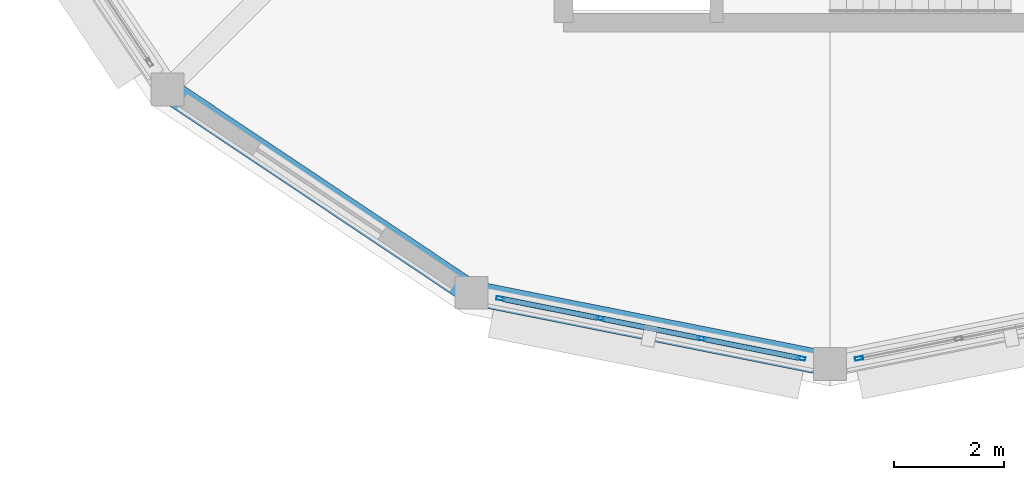
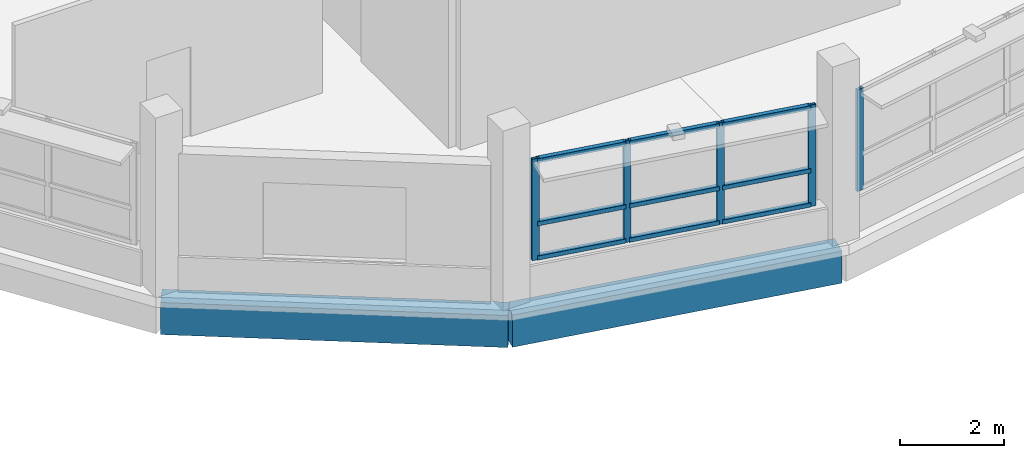
# One storey, part 74 of 128: 14 members, 2 beams, 2 elements without a shape of their own.
"""IFC4 building model written with IfcOpenShell, lengths in metres."""

from ifc_helpers import new_model, si_unit, direction, frame, origin, origin_2d, place, context, subcontext, project, spatial, rectangle, hollow_rectangle, extrude, material, layer, layer_set, material_profile, profile_set, type_object, element, aggregate, save


model = new_model("IFC4")

# Units and contexts
model_context = context("Model", 3, precision=1e-05, world=origin(), true_north=direction((0.0, 1.0)))
body_context = subcontext(model_context, "Body", "Model", "MODEL_VIEW")
ifc_project = project(units=[si_unit("LENGTHUNIT", "METRE"), si_unit("AREAUNIT", "SQUARE_METRE"), si_unit("VOLUMEUNIT", "CUBIC_METRE"), si_unit("PLANEANGLEUNIT", "RADIAN"), si_unit("MASSUNIT", "GRAM", prefix="KILO")], contexts=[model_context])

# Site, building, storey
site_placement = place(None, origin())
site = spatial("IfcSite", under=ifc_project, at=site_placement, CompositionType="ELEMENT")
building_placement = place(site_placement, origin())
building = spatial("IfcBuilding", under=site, at=building_placement, Name="Vespera Passage Community Centre", CompositionType="ELEMENT")
storey_placement = place(building_placement, frame((0.0, 0.0, 4.5)))
storey = spatial("IfcBuildingStorey", under=building, at=storey_placement, Name="L01", CompositionType="ELEMENT", Elevation=4.5)

# Beams
ifc_material_1 = material(Name="Concrete f'c 35 MPa", Category="concrete")
ifc_material_profile_1 = material_profile(ifc_material_1, rectangle(XDim=0.449951171875, YDim=0.75, at=origin_2d()), Name="RC450X750")
ifc_profile_set_1 = profile_set([ifc_material_profile_1], Name="Concrete f'c 35 MPa")
beam_type = type_object("IfcBeamType", Name="BM-SP-450X750E", PredefinedType="SPANDREL", material=ifc_profile_set_1)
for number, where, z_axis, x_axis, name in (
    (1, (128.908447265625, 12.908447265625, -0.614990234375), (0.831470004276, -0.55556964639, 0.0), (0.55556964639, 0.831470004276, 0.0), "V3 L01 Spandrel 11"),
    (2, (134.4560546875, 9.20166015625, -0.614990234375), (0.980782809509, -0.195102743632, 0.0), (0.195102743632, 0.980782809509, 0.0), "V3 L01 Spandrel 12"),
):
    element("IfcBeam", number, at=place(storey_placement, frame(where, z_axis=z_axis, x_axis=x_axis)), inside=storey, type_object=beam_type, Name=name, PredefinedType="SPANDREL", context=body_context, shape_type="SweptSolid", body=[
        extrude(rectangle(XDim=0.449951171875, YDim=0.75, at=origin_2d()), origin(), (0.0, 0.0, 1.0), 6.672119140625),
    ])

# Curtain wall, members
ifc_material_2 = material(Name="Anodized aluminium 6063-T6", Category="aluminium")
ifc_layer = layer(ifc_material_2, 0.159912109375)
ifc_layer_set = layer_set([ifc_layer], Name="Anodized aluminium 6063-T6")
curtain_wall_type = type_object("IfcCurtainWallType", Name="CW-105E", PredefinedType="NOTDEFINED", material=ifc_layer_set)
curtain_wall_1_placement = place(storey_placement, origin())
curtain_wall_1 = element("IfcCurtainWall", 3, at=curtain_wall_1_placement, inside=storey, type_object=curtain_wall_type, Name="Dining Drum Ribbon Curtain Wall L01.12", PredefinedType="NOTDEFINED")
ifc_material_3 = material(Name="Anodized aluminium 6063-T6", Category="aluminium")
ifc_material_profile_2 = material_profile(ifc_material_3, hollow_rectangle(XDim=0.06494140625, YDim=0.14990234375, WallThickness=0.00390625, InnerFilletRadius=0.001953125, OuterFilletRadius=0.00390625, at=origin_2d()), Name="ALU150X65X4")
ifc_profile_set_2 = profile_set([ifc_material_profile_2], Name="Anodized aluminium 6063-T6")
member_type_1 = type_object("IfcMemberType", Name="MB-CWM-150E", PredefinedType="MULLION", material=ifc_profile_set_2)
member_1_placement = place(storey_placement, frame((140.471923828125, 8.005126953125, 0.800048828125), z_axis=(0.0, 0.0, 1.0), x_axis=(-0.195096778691, -0.980783996069, 0.0)))
member_1 = element("IfcMember", 4, at=member_1_placement, type_object=member_type_1, Name="CW-105E mullion 1", PredefinedType="MULLION", context=body_context, shape_type="SweptSolid", body=[
    extrude(hollow_rectangle(XDim=0.06494140625, YDim=0.14990234375, WallThickness=0.00390625, InnerFilletRadius=0.001953125, OuterFilletRadius=0.00390625, at=origin_2d()), origin(), (0.0, 0.0, 1.0), 2.375),
])
member_2_placement = place(storey_placement, frame((138.6533203125, 8.36669921875, 0.800048828125), z_axis=(0.0, 0.0, 1.0), x_axis=(-0.195096778691, -0.980783996069, 0.0)))
member_2 = element("IfcMember", 5, at=member_2_placement, type_object=member_type_1, Name="CW-105E mullion 2", PredefinedType="MULLION", context=body_context, shape_type="SweptSolid", body=[
    extrude(hollow_rectangle(XDim=0.06494140625, YDim=0.14990234375, WallThickness=0.00390625, InnerFilletRadius=0.001953125, OuterFilletRadius=0.00390625, at=origin_2d()), origin(), (0.0, 0.0, 1.0), 2.375),
])
member_3_placement = place(storey_placement, frame((136.802734375, 8.73486328125, 0.800048828125), z_axis=(0.0, 0.0, 1.0), x_axis=(-0.195096778691, -0.980783996069, 0.0)))
member_3 = element("IfcMember", 6, at=member_3_placement, type_object=member_type_1, Name="CW-105E mullion 3", PredefinedType="MULLION", context=body_context, shape_type="SweptSolid", body=[
    extrude(hollow_rectangle(XDim=0.06494140625, YDim=0.14990234375, WallThickness=0.00390625, InnerFilletRadius=0.001953125, OuterFilletRadius=0.00390625, at=origin_2d()), origin(), (0.0, 0.0, 1.0), 2.375),
])
member_4_placement = place(storey_placement, frame((134.984130859375, 9.0966796875, 0.800048828125), z_axis=(0.0, 0.0, 1.0), x_axis=(-0.195096778691, -0.980783996069, 0.0)))
member_4 = element("IfcMember", 7, at=member_4_placement, type_object=member_type_1, Name="CW-105E mullion 4", PredefinedType="MULLION", context=body_context, shape_type="SweptSolid", body=[
    extrude(hollow_rectangle(XDim=0.06494140625, YDim=0.14990234375, WallThickness=0.00390625, InnerFilletRadius=0.001953125, OuterFilletRadius=0.00390625, at=origin_2d()), origin(), (0.0, 0.0, 1.0), 2.375),
])

# Curtain wall, member
curtain_wall_2_placement = place(storey_placement, origin())
curtain_wall_2 = element("IfcCurtainWall", 8, at=curtain_wall_2_placement, inside=storey, type_object=curtain_wall_type, Name="Dining Drum Ribbon Curtain Wall L01.13", PredefinedType="NOTDEFINED")
member_5_placement = place(storey_placement, frame((141.528076171875, 8.005126953125, 0.800048828125), z_axis=(0.0, 0.0, 1.0), x_axis=(0.195096778691, -0.980783996069, 0.0)))
member_5 = element("IfcMember", 9, at=member_5_placement, type_object=member_type_1, Name="CW-105E mullion 4", PredefinedType="MULLION", context=body_context, shape_type="SweptSolid", body=[
    extrude(hollow_rectangle(XDim=0.06494140625, YDim=0.14990234375, WallThickness=0.00390625, InnerFilletRadius=0.001953125, OuterFilletRadius=0.00390625, at=origin_2d()), origin(), (0.0, 0.0, 1.0), 2.375),
])
aggregate(curtain_wall_2, [member_5])

# Member
ifc_material_4 = material(Name="Anodized aluminium 6063-T6", Category="aluminium")
ifc_material_profile_3 = material_profile(ifc_material_4, hollow_rectangle(XDim=0.10009765625, YDim=0.10009765625, WallThickness=0.00390625, InnerFilletRadius=0.001953125, OuterFilletRadius=0.00390625, at=origin_2d()), Name="ALU100X100X4")
ifc_profile_set_3 = profile_set([ifc_material_profile_3], Name="Anodized aluminium 6063-T6")
member_type_2 = type_object("IfcMemberType", Name="MB-CWT-100E", PredefinedType="USERDEFINED", material=ifc_profile_set_3)
member_6_placement = place(storey_placement, frame((140.43994140625, 8.011474609375, 0.85009765625), z_axis=(-0.980805694528, 0.194987665203, 0.0), x_axis=(-0.194987665203, -0.980805694528, 0.0)))
member_6 = element("IfcMember", 10, at=member_6_placement, type_object=member_type_2, Name="CW-105E transom 1.1", ObjectType="TRANSOM", PredefinedType="USERDEFINED", context=body_context, shape_type="SweptSolid", body=[
    extrude(hollow_rectangle(XDim=0.10009765625, YDim=0.10009765625, WallThickness=0.00390625, InnerFilletRadius=0.001953125, OuterFilletRadius=0.00390625, at=origin_2d()), origin(), (0.0, 0.0, 1.0), 1.789306640625),
])

member_7_placement = place(storey_placement, frame((140.43994140625, 8.011474609375, 1.64990234375), z_axis=(-0.980805694528, 0.194987665203, 0.0), x_axis=(-0.194987665203, -0.980805694528, 0.0)))
member_7 = element("IfcMember", 11, at=member_7_placement, type_object=member_type_2, Name="CW-105E transom 1.2", ObjectType="TRANSOM", PredefinedType="USERDEFINED", context=body_context, shape_type="SweptSolid", body=[
    extrude(hollow_rectangle(XDim=0.10009765625, YDim=0.10009765625, WallThickness=0.00390625, InnerFilletRadius=0.001953125, OuterFilletRadius=0.00390625, at=origin_2d()), origin(), (0.0, 0.0, 1.0), 1.789306640625),
])

member_8_placement = place(storey_placement, frame((140.43994140625, 8.011474609375, 3.125), z_axis=(-0.980805694528, 0.194987665203, 0.0), x_axis=(-0.194987665203, -0.980805694528, 0.0)))
member_8 = element("IfcMember", 12, at=member_8_placement, type_object=member_type_2, Name="CW-105E transom 1.3", ObjectType="TRANSOM", PredefinedType="USERDEFINED", context=body_context, shape_type="SweptSolid", body=[
    extrude(hollow_rectangle(XDim=0.10009765625, YDim=0.10009765625, WallThickness=0.00390625, InnerFilletRadius=0.001953125, OuterFilletRadius=0.00390625, at=origin_2d()), origin(), (0.0, 0.0, 1.0), 1.789306640625),
])

member_9_placement = place(storey_placement, frame((138.621337890625, 8.373046875, 0.85009765625), z_axis=(-0.980776065507, 0.195136642714, 0.0), x_axis=(-0.195136642714, -0.980776065507, 0.0)))
member_9 = element("IfcMember", 13, at=member_9_placement, type_object=member_type_2, Name="CW-105E transom 2.1", ObjectType="TRANSOM", PredefinedType="USERDEFINED", context=body_context, shape_type="SweptSolid", body=[
    extrude(hollow_rectangle(XDim=0.10009765625, YDim=0.10009765625, WallThickness=0.00390625, InnerFilletRadius=0.001953125, OuterFilletRadius=0.00390625, at=origin_2d()), origin(), (0.0, 0.0, 1.0), 1.821533203125),
])

member_10_placement = place(storey_placement, frame((138.621337890625, 8.373046875, 1.64990234375), z_axis=(-0.980776065507, 0.195136642714, 0.0), x_axis=(-0.195136642714, -0.980776065507, 0.0)))
member_10 = element("IfcMember", 14, at=member_10_placement, type_object=member_type_2, Name="CW-105E transom 2.2", ObjectType="TRANSOM", PredefinedType="USERDEFINED", context=body_context, shape_type="SweptSolid", body=[
    extrude(hollow_rectangle(XDim=0.10009765625, YDim=0.10009765625, WallThickness=0.00390625, InnerFilletRadius=0.001953125, OuterFilletRadius=0.00390625, at=origin_2d()), origin(), (0.0, 0.0, 1.0), 1.821533203125),
])

member_11_placement = place(storey_placement, frame((138.621337890625, 8.373046875, 3.125), z_axis=(-0.980776065507, 0.195136642714, 0.0), x_axis=(-0.195136642714, -0.980776065507, 0.0)))
member_11 = element("IfcMember", 15, at=member_11_placement, type_object=member_type_2, Name="CW-105E transom 2.3", ObjectType="TRANSOM", PredefinedType="USERDEFINED", context=body_context, shape_type="SweptSolid", body=[
    extrude(hollow_rectangle(XDim=0.10009765625, YDim=0.10009765625, WallThickness=0.00390625, InnerFilletRadius=0.001953125, OuterFilletRadius=0.00390625, at=origin_2d()), origin(), (0.0, 0.0, 1.0), 1.821533203125),
])

member_12_placement = place(storey_placement, frame((136.77099609375, 8.7412109375, 0.85009765625), z_axis=(-0.980779590975, 0.195118922523, 0.0), x_axis=(-0.195118922523, -0.980779590975, 0.0)))
member_12 = element("IfcMember", 16, at=member_12_placement, type_object=member_type_2, Name="CW-105E transom 3.1", ObjectType="TRANSOM", PredefinedType="USERDEFINED", context=body_context, shape_type="SweptSolid", body=[
    extrude(hollow_rectangle(XDim=0.10009765625, YDim=0.10009765625, WallThickness=0.00390625, InnerFilletRadius=0.001953125, OuterFilletRadius=0.00390625, at=origin_2d()), origin(), (0.0, 0.0, 1.0), 1.789306640625),
])

member_13_placement = place(storey_placement, frame((136.77099609375, 8.7412109375, 1.64990234375), z_axis=(-0.980779590975, 0.195118922523, 0.0), x_axis=(-0.195118922523, -0.980779590975, 0.0)))
member_13 = element("IfcMember", 17, at=member_13_placement, type_object=member_type_2, Name="CW-105E transom 3.2", ObjectType="TRANSOM", PredefinedType="USERDEFINED", context=body_context, shape_type="SweptSolid", body=[
    extrude(hollow_rectangle(XDim=0.10009765625, YDim=0.10009765625, WallThickness=0.00390625, InnerFilletRadius=0.001953125, OuterFilletRadius=0.00390625, at=origin_2d()), origin(), (0.0, 0.0, 1.0), 1.789306640625),
])

member_14_placement = place(storey_placement, frame((136.77099609375, 8.7412109375, 3.125), z_axis=(-0.980779590975, 0.195118922523, 0.0), x_axis=(-0.195118922523, -0.980779590975, 0.0)))
member_14 = element("IfcMember", 18, at=member_14_placement, type_object=member_type_2, Name="CW-105E transom 3.3", ObjectType="TRANSOM", PredefinedType="USERDEFINED", context=body_context, shape_type="SweptSolid", body=[
    extrude(hollow_rectangle(XDim=0.10009765625, YDim=0.10009765625, WallThickness=0.00390625, InnerFilletRadius=0.001953125, OuterFilletRadius=0.00390625, at=origin_2d()), origin(), (0.0, 0.0, 1.0), 1.789306640625),
])

aggregate(curtain_wall_1, [member_1, member_2, member_3, member_4, member_6, member_7, member_8, member_9, member_10, member_11, member_12, member_13, member_14])

save(model, "model.ifc")
